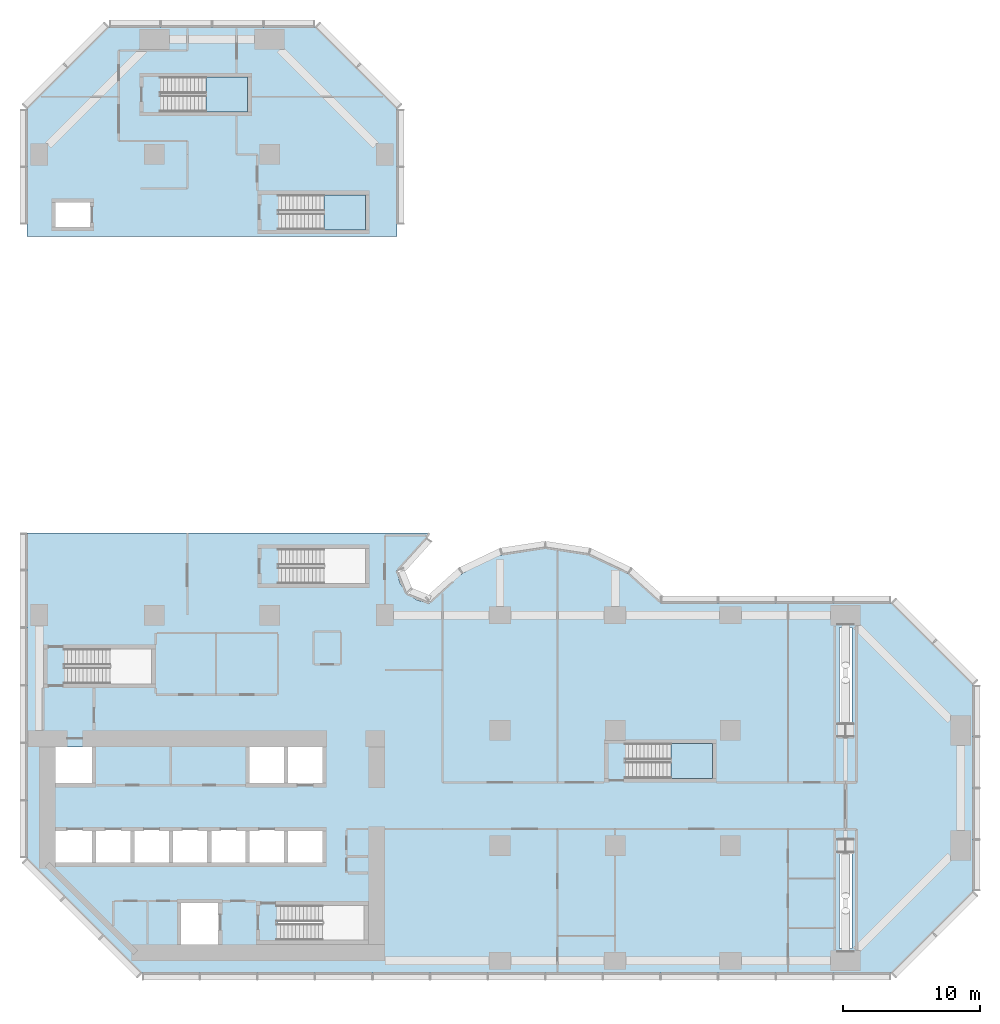
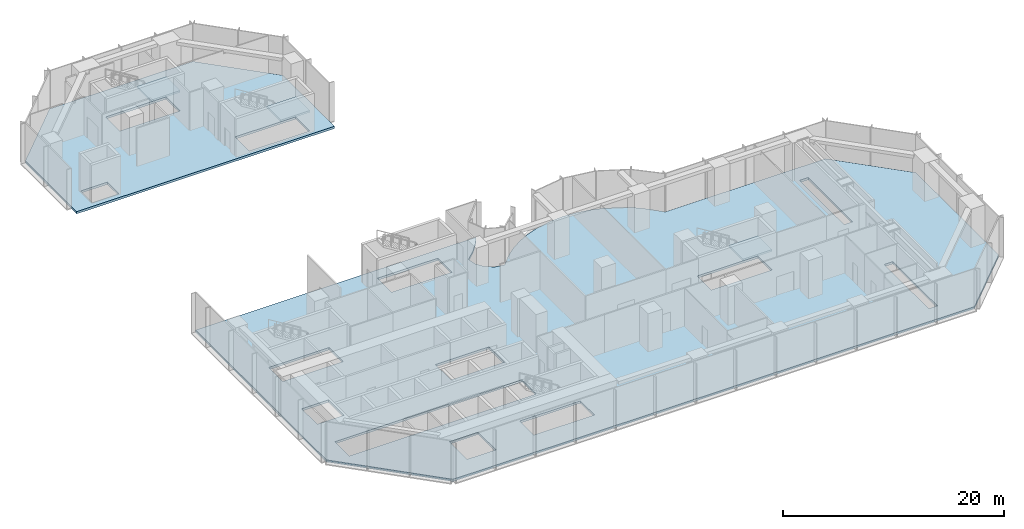
# One storey, part 7 of 18: 5 slabs, 3 elements without a shape of their own.
"""IFC4 building model written with IfcOpenShell, lengths in metres."""

import ifcopenshell
import ifcopenshell.guid

model = None  # the IFC model being written
_history = None  # IfcOwnerHistory: only IFC2X3 demands one
_inside = {}  # id of a spatial element -> (the spatial element, [elements in it])
_under = {}  # id of a project, library or spatial element -> (it, [spatial elements below it])
_declared = {}  # id of a project -> (the project, [libraries it declares])
_typed = {}  # id of a type object -> (the type object, [elements of that type])
_made_of = {}  # id of a material, layer set ... -> (it, [elements and type objects made of it])


def new_model(schema):
    """Start an empty IFC model of exactly this schema.

    Asked for "IFC4X3", IfcOpenShell would pick the latest addendum, in which some entities
    have other attributes; the version numbers below select the first issue.
    IFC2X3 requires an IfcOwnerHistory on every rooted entity: one is made here for all.
    """
    global model, _history
    if schema == "IFC4X3":
        model = ifcopenshell.file(schema_version=(4, 3, 0, 0))
    else:
        model = ifcopenshell.file(schema=schema)
    _inside.clear()
    _under.clear()
    _declared.clear()
    _typed.clear()
    _made_of.clear()
    _history = None
    if model.schema == "IFC2X3":
        org = make("IfcOrganization", Name="unknown")
        user = make(
            "IfcPersonAndOrganization",
            ThePerson=make("IfcPerson", FamilyName="unknown"),
            TheOrganization=org,
        )
        app = make(
            "IfcApplication",
            ApplicationDeveloper=org,
            Version="unknown",
            ApplicationFullName="unknown",
            ApplicationIdentifier="unknown",
        )
        _history = make(
            "IfcOwnerHistory",
            OwningUser=user,
            OwningApplication=app,
            ChangeAction="ADDED",
            CreationDate=0,
        )
    return model


def make(cls, **values):
    """One entity of the class cls with the attributes given. An attribute that is None is left unset."""
    return model.create_entity(
        cls, **{name: value for name, value in values.items() if value is not None}
    )


def rooted(cls, **values):
    """An entity with a GlobalId (a new one), such as an element, a storey or a relation."""
    return make(cls, GlobalId=ifcopenshell.guid.new(), OwnerHistory=_history, **values)


def si_unit(unit_type, name, prefix=None):
    """IfcSIUnit, for example si_unit("LENGTHUNIT", "METRE", prefix="MILLI")."""
    return make("IfcSIUnit", UnitType=unit_type, Prefix=prefix, Name=name)


def assignment(units):
    """IfcUnitAssignment: the units of a project."""
    return None if units is None else make("IfcUnitAssignment", Units=units)


def point(xyz):
    """IfcCartesianPoint."""
    return None if xyz is None else make("IfcCartesianPoint", Coordinates=xyz)


def direction(xyz):
    """IfcDirection."""
    return None if xyz is None else make("IfcDirection", DirectionRatios=xyz)


def frame(location, z_axis=None, x_axis=None):
    """IfcAxis2Placement3D, a coordinate frame: its origin and axes. An axis left out is left unset."""
    return make(
        "IfcAxis2Placement3D",
        Location=point(location),
        Axis=direction(z_axis),
        RefDirection=direction(x_axis),
    )


def origin():
    """The frame at (0, 0, 0) with its axes left unset."""
    return frame((0.0, 0.0, 0.0))


def place(relative_to, where):
    """IfcLocalPlacement: puts the frame where relative to a parent placement (None: the world)."""
    return make(
        "IfcLocalPlacement", PlacementRelTo=relative_to, RelativePlacement=where
    )


def context(
    kind, dimensions, precision=None, world=None, true_north=None, identifier=None
):
    """IfcGeometricRepresentationContext, for example the 3D "Model" context."""
    return make(
        "IfcGeometricRepresentationContext",
        ContextIdentifier=identifier,
        ContextType=kind,
        CoordinateSpaceDimension=dimensions,
        Precision=precision,
        WorldCoordinateSystem=world,
        TrueNorth=true_north,
    )


def subcontext(parent, identifier, kind, view, scale=None):
    """IfcGeometricRepresentationSubContext, for example "Body" below "Model"."""
    return make(
        "IfcGeometricRepresentationSubContext",
        ContextIdentifier=identifier,
        ContextType=kind,
        ParentContext=parent,
        TargetScale=scale,
        TargetView=view,
    )


def project(units=None, contexts=None):
    """IfcProject with its units and contexts."""
    return rooted(
        "IfcProject",
        Name="project",
        RepresentationContexts=contexts,
        UnitsInContext=assignment(units),
    )


def spatial(cls, under=None, at=None, **own):
    """A site, building, storey or space (cls), placed at a placement, below another one or the project."""
    s = rooted(cls, ObjectPlacement=at, **own)
    if under is not None:
        _under.setdefault(under.id(), (under, []))[1].append(s)
    return s


def polyline(points):
    """IfcPolyline through the points."""
    return make("IfcPolyline", Points=[point(p) for p in points])


def outline(outer, holes=None, kind="AREA"):
    """IfcArbitraryClosedProfileDef: a profile drawn as a closed curve; with holes, ...WithVoids."""
    if holes is None:
        return make("IfcArbitraryClosedProfileDef", ProfileType=kind, OuterCurve=outer)
    return make(
        "IfcArbitraryProfileDefWithVoids",
        ProfileType=kind,
        OuterCurve=outer,
        InnerCurves=holes,
    )


def extrude(swept, where, along, depth):
    """IfcExtrudedAreaSolid: the profile swept, set in the frame where, extruded along a direction by depth."""
    return make(
        "IfcExtrudedAreaSolid",
        SweptArea=swept,
        Position=where,
        ExtrudedDirection=direction(along),
        Depth=depth,
    )


def shape(context_of_items, identifier, shape_type, items):
    """IfcShapeRepresentation: the items that make up one representation, for example the "Body"."""
    return make(
        "IfcShapeRepresentation",
        ContextOfItems=context_of_items,
        RepresentationIdentifier=identifier,
        RepresentationType=shape_type,
        Items=items,
    )


def material(Name=None, Category=None):
    """IfcMaterial."""
    return make("IfcMaterial", Name=Name, Category=Category)


def layer(
    of_material, thickness, ventilated=None, Name=None, Category=None, Priority=None
):
    """IfcMaterialLayer: one layer of a wall or slab, of a material (None: an air gap)."""
    return make(
        "IfcMaterialLayer",
        Material=of_material,
        LayerThickness=thickness,
        IsVentilated=ventilated,
        Name=Name,
        Category=Category,
        Priority=Priority,
    )


def layer_set(layers, Name=None):
    """IfcMaterialLayerSet."""
    return make("IfcMaterialLayerSet", MaterialLayers=layers, LayerSetName=Name)


def made_of(thing, what):
    """Note that an element or type object is made of a material, layer set ...; save() writes the relation."""
    if what is not None:
        _made_of.setdefault(what.id(), (what, []))[1].append(thing)
    return thing


def type_object(cls, material=None, **own):
    """A type object (cls), such as IfcWallType, which elements share."""
    return made_of(rooted(cls, **own), material)


def element(
    cls,
    number,
    at=None,
    inside=None,
    cuts=None,
    type_object=None,
    material=None,
    context=None,
    identifier="Body",
    shape_type=None,
    held_by="IfcProductDefinitionShape",
    body=None,
    shapes=None,
    **own,
):
    """One element of the class cls, such as IfcWall. Its Tag is "e" and its number.

    at: its placement. inside: the storey or other place that contains it. cuts: it is an
    opening in that element (IfcRelVoidsElement). A single representation is given by context,
    identifier, shape_type and body (its items); several are given by shapes. held_by: the class
    of the entity that holds the representations. save() writes the other relations.
    """
    e = rooted(cls, Tag="e%d" % number, ObjectPlacement=at, **own)
    if body is not None:
        shapes = [shape(context, identifier, shape_type, body)]
    if shapes is not None:
        e.Representation = make(held_by, Representations=shapes)
    if inside is not None:
        _inside.setdefault(inside.id(), (inside, []))[1].append(e)
    if cuts is not None:
        rooted(
            "IfcRelVoidsElement", RelatingBuildingElement=cuts, RelatedOpeningElement=e
        )
    if type_object is not None:
        _typed.setdefault(type_object.id(), (type_object, []))[1].append(e)
    return made_of(e, material)


def aggregate(whole, parts):
    """IfcRelAggregates: a whole, such as a stair, and the parts it consists of."""
    return rooted("IfcRelAggregates", RelatingObject=whole, RelatedObjects=parts)


def save(model, path):
    """Write the relations noted so far, then the file.

    IfcRelAggregates (storeys below a building ...), IfcRelContainedInSpatialStructure (elements
    in a storey), IfcRelDefinesByType, IfcRelAssociatesMaterial and IfcRelDeclares: one each for
    every whole, place, type object, material and project.
    """
    for whole, parts in _under.values():
        aggregate(whole, parts)
    for where, things in _inside.values():
        rooted(
            "IfcRelContainedInSpatialStructure",
            RelatedElements=things,
            RelatingStructure=where,
        )
    for kind, things in _typed.values():
        rooted("IfcRelDefinesByType", RelatedObjects=things, RelatingType=kind)
    for what, things in _made_of.values():
        rooted("IfcRelAssociatesMaterial", RelatedObjects=things, RelatingMaterial=what)
    for by, libraries in _declared.values():
        rooted("IfcRelDeclares", RelatingContext=by, RelatedDefinitions=libraries)
    model.write(path)


model = new_model("IFC4")

# Units and contexts
model_context = context("Model", 3, precision=1e-05, world=origin(), true_north=direction((0.0, 1.0)))
body_context = subcontext(model_context, "Body", "Model", "MODEL_VIEW")
ifc_project = project(units=[si_unit("LENGTHUNIT", "METRE"), si_unit("AREAUNIT", "SQUARE_METRE"), si_unit("VOLUMEUNIT", "CUBIC_METRE"), si_unit("PLANEANGLEUNIT", "RADIAN"), si_unit("MASSUNIT", "GRAM", prefix="KILO")], contexts=[model_context])

# Site, building, storey
site_placement = place(None, origin())
site = spatial("IfcSite", under=ifc_project, at=site_placement, CompositionType="ELEMENT")
building_placement = place(site_placement, origin())
building = spatial("IfcBuilding", under=site, at=building_placement, Name="Brevane Broadcast Tower", CompositionType="ELEMENT")
storey_placement = place(building_placement, frame((0.0, 0.0, 27.5)))
storey = spatial("IfcBuildingStorey", under=building, at=storey_placement, Name="L04", CompositionType="ELEMENT", Elevation=27.5)

# Stair, slab
ifc_material_1 = material(Name="Concrete C50/60", Category="concrete")
stair_type = type_object("IfcStairType", Name="Exit stair 26 risers", PredefinedType="HALF_TURN_STAIR", material=ifc_material_1)
stair_1_placement = place(storey_placement, origin())
stair_1 = element("IfcStair", 1, at=stair_1_placement, inside=storey, type_object=stair_type, Name="L04 Exit stair ST-4", PredefinedType="HALF_TURN_STAIR")
ifc_layer_1 = layer(ifc_material_1, 0.199951171875)
ifc_layer_set_1 = layer_set([ifc_layer_1], Name="Exit stair landing")
slab_type_1 = type_object("IfcSlabType", Name="Exit stair landing", PredefinedType="LANDING", material=ifc_layer_set_1)
slab_1_placement = place(storey_placement, frame((0.0, 0.0, 2.050048828125)))
slab_1 = element("IfcSlab", 2, at=slab_1_placement, type_object=slab_type_1, Name="ST-4 landing 1", PredefinedType="LANDING", context=body_context, shape_type="SweptSolid", body=[
    extrude(outline(polyline([(46.06005859375, 13.300048828125), (49.10009765625, 13.300048828125), (49.10009765625, 15.85009765625), (46.06005859375, 15.85009765625), (46.06005859375, 13.300048828125)])), origin(), (0.0, 0.0, 1.0), 0.199951171875),
])
aggregate(stair_1, [slab_1])

stair_2_placement = place(storey_placement, origin())
stair_2 = element("IfcStair", 3, at=stair_2_placement, inside=storey, type_object=stair_type, Name="L04 Exit stair ST-5", PredefinedType="HALF_TURN_STAIR")
slab_2_placement = place(storey_placement, frame((0.0, 0.0, 2.050048828125)))
slab_2 = element("IfcSlab", 4, at=slab_2_placement, type_object=slab_type_1, Name="ST-5 landing 1", PredefinedType="LANDING", context=body_context, shape_type="SweptSolid", body=[
    extrude(outline(polyline([(20.760009765625, 53.300048828125), (23.800048828125, 53.300048828125), (23.800048828125, 55.85009765625), (20.760009765625, 55.85009765625), (20.760009765625, 53.300048828125)])), origin(), (0.0, 0.0, 1.0), 0.199951171875),
])
aggregate(stair_2, [slab_2])

stair_3_placement = place(storey_placement, origin())
stair_3 = element("IfcStair", 5, at=stair_3_placement, inside=storey, type_object=stair_type, Name="L04 Exit stair ST-6", PredefinedType="HALF_TURN_STAIR")
slab_3_placement = place(storey_placement, frame((0.0, 0.0, 2.050048828125)))
slab_3 = element("IfcSlab", 6, at=slab_3_placement, type_object=slab_type_1, Name="ST-6 landing 1", PredefinedType="LANDING", context=body_context, shape_type="SweptSolid", body=[
    extrude(outline(polyline([(12.159912109375, 61.89990234375), (15.199951171875, 61.89990234375), (15.199951171875, 64.449951171875), (12.159912109375, 64.449951171875), (12.159912109375, 61.89990234375)])), origin(), (0.0, 0.0, 1.0), 0.199951171875),
])
aggregate(stair_3, [slab_3])

# Slabs
ifc_material_2 = material(Name="Concrete C40/50", Category="concrete")
ifc_layer_2 = layer(ifc_material_2, 0.25)
ifc_layer_set_2 = layer_set([ifc_layer_2], Name="RC FLOOR SLAB 250 C40/50")
slab_type_2 = type_object("IfcSlabType", Name="RC FLOOR SLAB 250 C40/50", PredefinedType="FLOOR", material=ifc_layer_set_2)
slab_4_placement = place(storey_placement, frame((0.0, 0.0, -0.25)))
element("IfcSlab", 7, at=slab_4_placement, inside=storey, type_object=slab_type_2, Name="SL250 L04", PredefinedType="FLOOR", context=body_context, shape_type="SweptSolid", body=[
    extrude(outline(polyline([(-0.89990234375, 31.199951171875), (28.45263671875, 31.199951171875), (27.99169921875, 30.48291015625), (27.10888671875, 29.431396484375), (26.10009765625, 28.5), (26.28271484375, 27.58154296875), (26.802978515625, 26.802978515625), (27.58154296875, 26.28271484375), (28.5, 26.10009765625), (29.431396484375, 27.10888671875), (30.48291015625, 27.99169921875), (31.6376953125, 28.734130859375), (32.877197265625, 29.324462890625), (34.181640625, 29.7529296875), (35.52978515625, 30.012939453125), (36.89990234375, 30.10009765625), (38.270263671875, 30.012939453125), (39.618408203125, 29.7529296875), (40.922607421875, 29.324462890625), (42.162353515625, 28.734130859375), (43.317138671875, 27.99169921875), (44.36865234375, 27.10888671875), (45.300048828125, 26.10009765625), (62.10009765625, 26.10009765625), (68.10009765625, 20.10009765625), (68.10009765625, 5.10009765625), (62.10009765625, -0.89990234375), (7.5, -0.89990234375), (-0.89990234375, 7.5), (-0.89990234375, 31.199951171875)]), holes=[polyline([(13.199951171875, 1.199951171875), (13.199951171875, 4.39990234375), (10.199951171875, 4.39990234375), (10.199951171875, 1.199951171875), (13.199951171875, 1.199951171875)]), polyline([(6.800048828125, 9.60009765625), (4.0, 9.60009765625), (1.199951171875, 9.60009765625), (1.199951171875, 7.0), (4.0, 7.0), (6.800048828125, 7.0), (9.60009765625, 7.0), (12.39990234375, 7.0), (15.199951171875, 7.0), (18.0, 7.0), (20.800048828125, 7.0), (20.800048828125, 9.60009765625), (18.0, 9.60009765625), (15.199951171875, 9.60009765625), (12.39990234375, 9.60009765625), (9.60009765625, 9.60009765625), (6.800048828125, 9.60009765625)]), polyline([(4.0, 12.800048828125), (4.0, 15.60009765625), (1.199951171875, 15.60009765625), (1.199951171875, 12.800048828125), (4.0, 12.800048828125)]), polyline([(8.199951171875, 22.75), (1.860107421875, 22.75), (1.860107421875, 20.199951171875), (8.199951171875, 20.199951171875), (8.199951171875, 22.75)]), polyline([(23.699951171875, 4.050048828125), (17.360107421875, 4.050048828125), (17.360107421875, 1.5), (23.699951171875, 1.5), (23.699951171875, 4.050048828125)]), polyline([(59.25, 8.9541015625), (58.35009765625, 8.9541015625), (58.35009765625, 0.89990234375), (59.25, 0.89990234375), (59.25, 8.9541015625)]), polyline([(15.199951171875, 12.800048828125), (18.0, 12.800048828125), (20.800048828125, 12.800048828125), (20.800048828125, 15.60009765625), (18.0, 15.60009765625), (15.199951171875, 15.60009765625), (15.199951171875, 12.800048828125)]), polyline([(49.10009765625, 15.85009765625), (42.760009765625, 15.85009765625), (42.760009765625, 13.300048828125), (49.10009765625, 13.300048828125), (49.10009765625, 15.85009765625)]), polyline([(59.25, 24.300048828125), (58.35009765625, 24.300048828125), (58.35009765625, 16.24609375), (59.25, 16.24609375), (59.25, 24.300048828125)]), polyline([(23.800048828125, 27.5), (23.800048828125, 30.050048828125), (17.4599609375, 30.050048828125), (17.4599609375, 27.5), (23.800048828125, 27.5)])]), origin(), (0.0, 0.0, 1.0), 0.25),
])
slab_5_placement = place(storey_placement, frame((0.0, 0.0, -0.25)))
element("IfcSlab", 8, at=slab_5_placement, inside=storey, type_object=slab_type_2, Name="SL250 L04", PredefinedType="FLOOR", context=body_context, shape_type="SweptSolid", body=[
    extrude(outline(polyline([(5.10009765625, 68.10009765625), (20.10009765625, 68.10009765625), (26.10009765625, 62.10009765625), (26.10009765625, 52.800048828125), (-0.89990234375, 52.800048828125), (-0.89990234375, 62.10009765625), (5.10009765625, 68.10009765625)]), holes=[polyline([(1.050048828125, 53.35009765625), (3.85009765625, 53.35009765625), (3.85009765625, 55.449951171875), (1.050048828125, 55.449951171875), (1.050048828125, 53.35009765625)]), polyline([(15.199951171875, 61.89990234375), (15.199951171875, 64.449951171875), (8.860107421875, 64.449951171875), (8.860107421875, 61.89990234375), (15.199951171875, 61.89990234375)]), polyline([(23.800048828125, 53.300048828125), (23.800048828125, 55.85009765625), (17.4599609375, 55.85009765625), (17.4599609375, 53.300048828125), (23.800048828125, 53.300048828125)])]), origin(), (0.0, 0.0, 1.0), 0.25),
])

save(model, "model.ifc")
